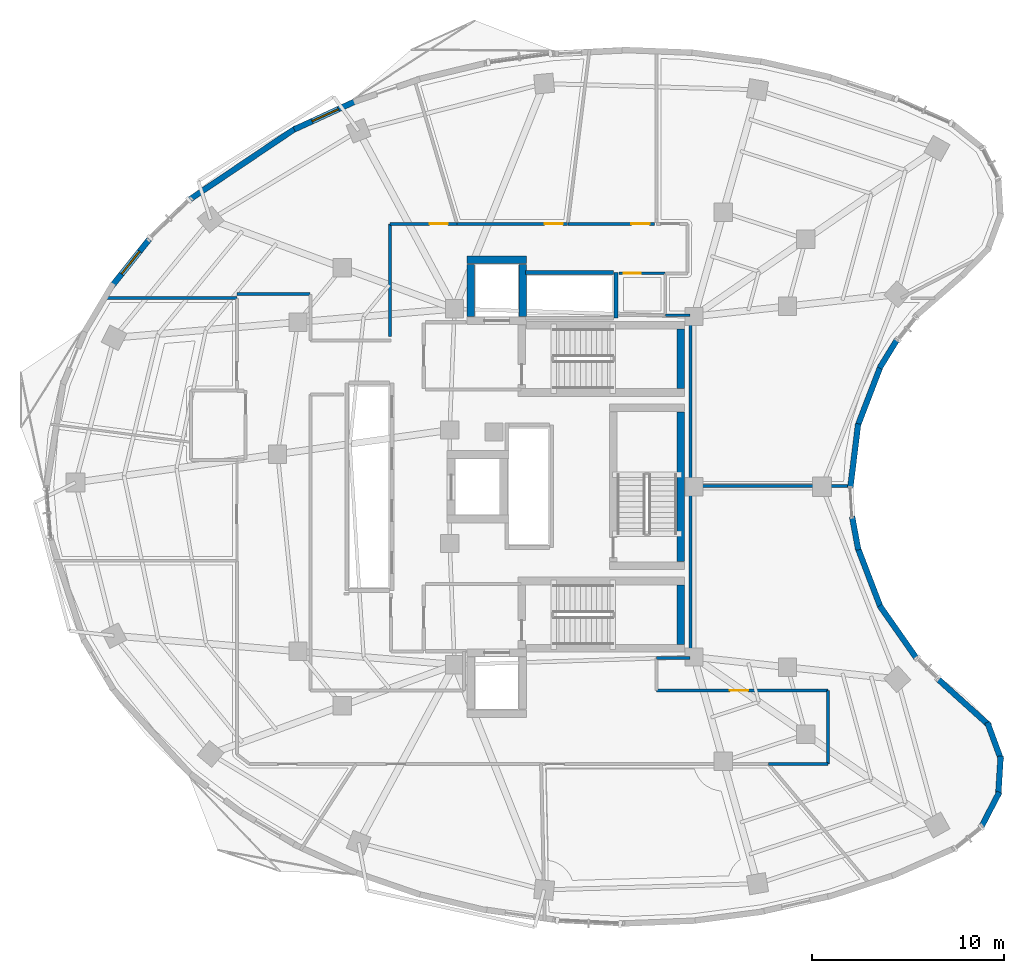
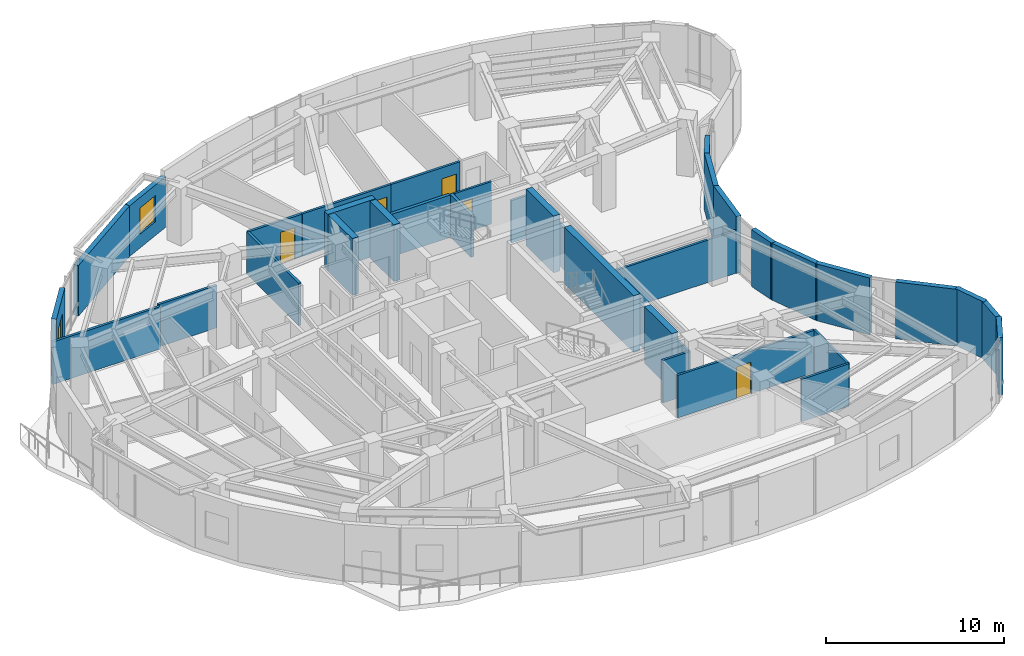
# One storey, part 10 of 15: 36 walls, 5 doors, 2 windows, 7 openings.
"""IFC4 building model written with IfcOpenShell, lengths in metres."""

from ifc_helpers import new_model, si_unit, direction, frame, frame_2d, origin, place, context, subcontext, project, spatial, rectangle, extrude, material, layer, layer_set, type_object, element, fill, save


model = new_model("IFC4")

# Units and contexts
model_context = context("Model", 3, precision=1e-05, world=origin(), true_north=direction((0.0, 1.0)))
body_context = subcontext(model_context, "Body", "Model", "MODEL_VIEW")
ifc_project = project(units=[si_unit("LENGTHUNIT", "METRE"), si_unit("AREAUNIT", "SQUARE_METRE"), si_unit("VOLUMEUNIT", "CUBIC_METRE"), si_unit("PLANEANGLEUNIT", "RADIAN"), si_unit("MASSUNIT", "GRAM", prefix="KILO")], contexts=[model_context])

# Site, building, storey
site_placement = place(None, origin())
site = spatial("IfcSite", under=ifc_project, at=site_placement, CompositionType="ELEMENT")
building_placement = place(site_placement, origin())
building = spatial("IfcBuilding", under=site, at=building_placement, Name="Korentha Bioscience Tower", CompositionType="ELEMENT")
storey_placement = place(building_placement, frame((0.0, 0.0, 222.60009765625)))
storey = spatial("IfcBuildingStorey", under=building, at=storey_placement, Name="L51", CompositionType="ELEMENT", Elevation=222.60009765625)

# Wall, opening, door
ifc_material_1 = material(Name="Double-Stud Acoustic Gypsum", Category="gypsum")
ifc_layer_1 = layer(ifc_material_1, 0.14990234375, Name="Double-Stud Acoustic Gypsum")
ifc_layer_set_1 = layer_set([ifc_layer_1], Name="Double-Stud Acoustic Gypsum (IW-L150)")
wall_type_1 = type_object("IfcWallType", Name="Acoustic Laboratory Partition Wall 150", PredefinedType="PARTITIONING", material=ifc_layer_set_1)
wall_1_placement = place(storey_placement, frame((44.5, 16.409912109375, 0.0), z_axis=(0.0, 0.0, 1.0), x_axis=(-1.0, 0.0, 0.0)))
wall_1 = element("IfcWall", 1, at=wall_1_placement, inside=storey, type_object=wall_type_1, Name="L51 Clinical Trials Data Office 06 Entrance Wall", PredefinedType="PARTITIONING", context=body_context, shape_type="SweptSolid", body=[
    extrude(rectangle(XDim=8.89794921875, YDim=0.14990234375, at=frame_2d((4.448974609375, 0.0))), origin(), (0.0, 0.0, 1.0), 2.909912109375),
])
opening_1_placement = place(wall_1_placement, frame((4.13818359375, 0.0, 0.0)))
opening_1 = element("IfcOpeningElement", 2, at=opening_1_placement, cuts=wall_1, Name="Opening ID-10R", PredefinedType="OPENING", context=body_context, shape_type="SweptSolid", body=[
    extrude(rectangle(XDim=0.949951171875, YDim=2.14990234375, at=frame_2d((0.47509765625, 1.074951171875))), frame((0.0, 0.08984375, 0.0), z_axis=(0.0, -1.0, 0.0), x_axis=(1.0, 0.0, 0.0)), (0.0, 0.0, 1.0), 0.1796875),
])
ifc_material_2 = material(Name="Phenolic Laminate Timber Core", Category="wood")
door_type_1 = type_object("IfcDoorType", Name="Laboratory Single Leaf Door 950x2150 Right", OperationType="SINGLE_SWING_RIGHT", PredefinedType="DOOR", material=ifc_material_2)
door_1_placement = place(opening_1_placement, origin())
door_1 = element("IfcDoor", 3, at=door_1_placement, inside=storey, type_object=door_type_1, Name="L51 Clinical Trials Data Office 06 Door", OperationType="SINGLE_SWING_RIGHT", OverallHeight=2.14990234375, OverallWidth=0.949951171875, PredefinedType="DOOR", context=body_context, shape_type="SweptSolid", body=[
    extrude(rectangle(XDim=0.949951171875, YDim=2.14990234375, at=frame_2d((0.47509765625, 1.074951171875))), frame((0.0, 0.02490234375, 0.0), z_axis=(0.0, -1.0, 0.0), x_axis=(1.0, 0.0, 0.0)), (0.0, 0.0, 1.0), 0.050048828125),
])
fill(opening_1, door_1)

wall_2_placement = place(storey_placement, frame((35.482666015625, 40.659912109375, 0.0), z_axis=(0.0, 0.0, 1.0), x_axis=(-1.0, 0.0, 0.0)))
wall_2 = element("IfcWall", 4, at=wall_2_placement, inside=storey, type_object=wall_type_1, Name="L51 Bioinformatics Data Collaboration Hub 08 Entrance Wall", PredefinedType="PARTITIONING", context=body_context, shape_type="SweptSolid", body=[
    extrude(rectangle(XDim=4.49560546875, YDim=0.14990234375, at=frame_2d((2.247802734375, 0.0))), origin(), (0.0, 0.0, 1.0), 2.909912109375),
])
opening_2_placement = place(wall_2_placement, frame((0.239990234375, 0.0, 0.0)))
opening_2 = element("IfcOpeningElement", 5, at=opening_2_placement, cuts=wall_2, Name="Opening ID-10R", PredefinedType="OPENING", context=body_context, shape_type="SweptSolid", body=[
    extrude(rectangle(XDim=0.949951171875, YDim=2.14990234375, at=frame_2d((0.47509765625, 1.074951171875))), frame((0.0, 0.08984375, 0.0), z_axis=(0.0, -1.0, 0.0), x_axis=(1.0, 0.0, 0.0)), (0.0, 0.0, 1.0), 0.1796875),
])
door_2_placement = place(opening_2_placement, origin())
door_2 = element("IfcDoor", 6, at=door_2_placement, inside=storey, type_object=door_type_1, Name="L51 Bioinformatics Data Collaboration Hub 08 Door", OperationType="SINGLE_SWING_RIGHT", OverallHeight=2.14990234375, OverallWidth=0.949951171875, PredefinedType="DOOR", context=body_context, shape_type="SweptSolid", body=[
    extrude(rectangle(XDim=0.949951171875, YDim=2.14990234375, at=frame_2d((0.47509765625, 1.074951171875))), frame((0.0, 0.02490234375, 0.0), z_axis=(0.0, -1.0, 0.0), x_axis=(1.0, 0.0, 0.0)), (0.0, 0.0, 1.0), 0.050048828125),
])
fill(opening_2, door_2)

wall_3_placement = place(storey_placement, frame((30.97705078125, 40.659912109375, 0.0), z_axis=(0.0, 0.0, 1.0), x_axis=(-1.0, 0.0, 0.0)))
wall_3 = element("IfcWall", 7, at=wall_3_placement, inside=storey, type_object=wall_type_1, Name="L51 Researchers' Reading Lounge 09 Entrance Wall", PredefinedType="PARTITIONING", context=body_context, shape_type="SweptSolid", body=[
    extrude(rectangle(XDim=5.7412109375, YDim=0.14990234375, at=frame_2d((2.87060546875, 0.0))), origin(), (0.0, 0.0, 1.0), 2.909912109375),
])
opening_3_placement = place(wall_3_placement, frame((0.239990234375, 0.0, 0.0)))
opening_3 = element("IfcOpeningElement", 8, at=opening_3_placement, cuts=wall_3, Name="Opening ID-10L", PredefinedType="OPENING", context=body_context, shape_type="SweptSolid", body=[
    extrude(rectangle(XDim=0.949951171875, YDim=2.14990234375, at=frame_2d((0.47509765625, 1.074951171875))), frame((0.0, 0.08984375, 0.0), z_axis=(0.0, -1.0, 0.0), x_axis=(1.0, 0.0, 0.0)), (0.0, 0.0, 1.0), 0.1796875),
])
door_type_2 = type_object("IfcDoorType", Name="Laboratory Single Leaf Door 950x2150 Left", OperationType="SINGLE_SWING_LEFT", PredefinedType="DOOR", material=ifc_material_2)
door_3_placement = place(opening_3_placement, origin())
door_3 = element("IfcDoor", 9, at=door_3_placement, inside=storey, type_object=door_type_2, Name="L51 Researchers' Reading Lounge 09 Door", OperationType="SINGLE_SWING_LEFT", OverallHeight=2.14990234375, OverallWidth=0.949951171875, PredefinedType="DOOR", context=body_context, shape_type="SweptSolid", body=[
    extrude(rectangle(XDim=0.949951171875, YDim=2.14990234375, at=frame_2d((0.47509765625, 1.074951171875))), frame((0.0, 0.02490234375, 0.0), z_axis=(0.0, -1.0, 0.0), x_axis=(1.0, 0.0, 0.0)), (0.0, 0.0, 1.0), 0.050048828125),
])
fill(opening_3, door_3)

# Walls
wall_4_placement = place(storey_placement, frame((35.60205078125, 18.090087890625, 0.0), z_axis=(0.0, 0.0, 1.0), x_axis=(1.0, 0.0, 0.0)))
element("IfcWall", 10, at=wall_4_placement, inside=storey, type_object=wall_type_1, Name="L51 Interior Partition 034", PredefinedType="PARTITIONING", context=body_context, shape_type="SweptSolid", body=[
    extrude(rectangle(XDim=1.748046875, YDim=0.14990234375, at=frame_2d((0.8740234375, 0.0))), origin(), (0.0, 0.0, 1.0), 2.909912109375),
])
wall_5_placement = place(storey_placement, frame((37.360107421875, 18.10009765625, 0.0), z_axis=(0.0, 0.0, 1.0), x_axis=(0.0, 1.0, 0.0)))
element("IfcWall", 11, at=wall_5_placement, inside=storey, type_object=wall_type_1, Name="L51 Interior Partition 035", PredefinedType="PARTITIONING", context=body_context, shape_type="SweptSolid", body=[
    extrude(rectangle(XDim=8.947998046875, YDim=0.14990234375, at=frame_2d((4.47412109375, 0.0))), origin(), (0.0, 0.0, 1.0), 2.909912109375),
])
wall_6_placement = place(storey_placement, frame((37.360107421875, 27.048095703125, 0.0), z_axis=(0.0, 0.0, 1.0), x_axis=(1.0, 0.0, 0.0)))
element("IfcWall", 12, at=wall_6_placement, inside=storey, type_object=wall_type_1, Name="L51 Interior Partition 036", PredefinedType="PARTITIONING", context=body_context, shape_type="SweptSolid", body=[
    extrude(rectangle(XDim=8.44140625, YDim=0.14990234375, at=frame_2d((4.220703125, 0.0))), origin(), (0.0, 0.0, 1.0), 2.909912109375),
])
wall_7_placement = place(storey_placement, frame((41.430908203125, 12.590087890625, 0.0), z_axis=(0.0, 0.0, 1.0), x_axis=(1.0, 0.0, 0.0)))
element("IfcWall", 13, at=wall_7_placement, inside=storey, type_object=wall_type_1, Name="L51 Interior Partition 037", PredefinedType="PARTITIONING", context=body_context, shape_type="SweptSolid", body=[
    extrude(rectangle(XDim=3.069091796875, YDim=0.14990234375, at=frame_2d((1.53466796875, 0.0))), origin(), (0.0, 0.0, 1.0), 2.909912109375),
])
wall_8_placement = place(storey_placement, frame((44.510009765625, 12.60009765625, 0.0), z_axis=(0.0, 0.0, 1.0), x_axis=(0.0, 1.0, 0.0)))
element("IfcWall", 14, at=wall_8_placement, inside=storey, type_object=wall_type_1, Name="L51 Interior Partition 038", PredefinedType="PARTITIONING", context=body_context, shape_type="SweptSolid", body=[
    extrude(rectangle(XDim=3.7998046875, YDim=0.14990234375, at=frame_2d((1.89990234375, 0.0))), origin(), (0.0, 0.0, 1.0), 2.909912109375),
])
wall_9_placement = place(storey_placement, frame((37.360107421875, 27.05810546875, 0.0), z_axis=(0.0, 0.0, 1.0), x_axis=(0.0, 1.0, 0.0)))
element("IfcWall", 15, at=wall_9_placement, inside=storey, type_object=wall_type_1, Name="L51 Interior Partition 043", PredefinedType="PARTITIONING", context=body_context, shape_type="SweptSolid", body=[
    extrude(rectangle(XDim=8.841796875, YDim=0.14990234375, at=frame_2d((4.4208984375, 0.0))), origin(), (0.0, 0.0, 1.0), 2.909912109375),
])
wall_10_placement = place(storey_placement, frame((37.35009765625, 35.909912109375, 0.0), z_axis=(0.0, 0.0, 1.0), x_axis=(-1.0, 0.0, 0.0)))
element("IfcWall", 16, at=wall_10_placement, inside=storey, type_object=wall_type_1, Name="L51 Interior Partition 044", PredefinedType="PARTITIONING", context=body_context, shape_type="SweptSolid", body=[
    extrude(rectangle(XDim=1.2900390625, YDim=0.14990234375, at=frame_2d((0.64501953125, 0.0))), origin(), (0.0, 0.0, 1.0), 2.909912109375),
])

# Wall, opening, door
ifc_material_3 = material(Name="Gypsum-Clad Steel Stud", Category="steel")
ifc_layer_2 = layer(ifc_material_3, 0.159912109375, Name="Gypsum-Clad Steel Stud")
ifc_layer_set_2 = layer_set([ifc_layer_2], Name="Gypsum-Clad Steel Stud (IW-C160)")
wall_type_2 = type_object("IfcWallType", Name="Fire-Rated Corridor Partition Wall 160", PredefinedType="PARTITIONING", material=ifc_layer_set_2)
wall_11_placement = place(storey_placement, frame((25.2255859375, 40.659912109375, 0.0), z_axis=(0.0, 0.0, 1.0), x_axis=(-1.0, 0.0, 0.0)))
wall_11 = element("IfcWall", 17, at=wall_11_placement, inside=storey, type_object=wall_type_2, Name="L51 Clean Linen and Labcoat Store 10 Entrance Wall", PredefinedType="PARTITIONING", context=body_context, shape_type="SweptSolid", body=[
    extrude(rectangle(XDim=3.4755859375, YDim=0.159912109375, at=frame_2d((1.73779296875, 0.0))), origin(), (0.0, 0.0, 1.0), 2.909912109375),
])
opening_4_placement = place(wall_11_placement, frame((0.47216796875, 0.0, 0.0)))
opening_4 = element("IfcOpeningElement", 18, at=opening_4_placement, cuts=wall_11, Name="Opening ID-10R", PredefinedType="OPENING", context=body_context, shape_type="SweptSolid", body=[
    extrude(rectangle(XDim=0.949951171875, YDim=2.14990234375, at=frame_2d((0.47509765625, 1.074951171875))), frame((0.0, 0.0947265625, 0.0), z_axis=(0.0, -1.0, 0.0), x_axis=(1.0, 0.0, 0.0)), (0.0, 0.0, 1.0), 0.189697265625),
])
door_4_placement = place(opening_4_placement, origin())
door_4 = element("IfcDoor", 19, at=door_4_placement, inside=storey, type_object=door_type_1, Name="L51 Clean Linen and Labcoat Store 10 Door", OperationType="SINGLE_SWING_RIGHT", OverallHeight=2.14990234375, OverallWidth=0.949951171875, PredefinedType="DOOR", context=body_context, shape_type="SweptSolid", body=[
    extrude(rectangle(XDim=0.949951171875, YDim=2.14990234375, at=frame_2d((0.47509765625, 1.074951171875))), frame((0.0, 0.02490234375, 0.0), z_axis=(0.0, -1.0, 0.0), x_axis=(1.0, 0.0, 0.0)), (0.0, 0.0, 1.0), 0.050048828125),
])
fill(opening_4, door_4)

# Walls
wall_12_placement = place(storey_placement, frame((21.739990234375, 40.64990234375, 0.0), z_axis=(0.0, 0.0, 1.0), x_axis=(0.0, -1.0, 0.0)))
element("IfcWall", 20, at=wall_12_placement, inside=storey, type_object=wall_type_2, Name="L51 Interior Partition 050", PredefinedType="PARTITIONING", context=body_context, shape_type="SweptSolid", body=[
    extrude(rectangle(XDim=5.849853515625, YDim=0.159912109375, at=frame_2d((2.9248046875, 0.0))), origin(), (0.0, 0.0, 1.0), 2.909912109375),
])
wall_13_placement = place(storey_placement, frame((17.60009765625, 37.010009765625, 0.0), z_axis=(0.0, 0.0, 1.0), x_axis=(-1.0, 0.0, 0.0)))
element("IfcWall", 21, at=wall_13_placement, inside=storey, type_object=wall_type_2, Name="L51 Interior Partition 053", PredefinedType="PARTITIONING", context=body_context, shape_type="SweptSolid", body=[
    extrude(rectangle(XDim=3.800048828125, YDim=0.159912109375, at=frame_2d((1.89990234375, 0.0))), origin(), (0.0, 0.0, 1.0), 2.909912109375),
])
wall_14_placement = place(storey_placement, frame((13.7900390625, 36.802001953125, 0.0), z_axis=(0.0, 0.0, 1.0), x_axis=(-1.0, 0.0, 0.0)))
element("IfcWall", 22, at=wall_14_placement, inside=storey, type_object=wall_type_2, Name="L51 Interior Partition 054", PredefinedType="PARTITIONING", context=body_context, shape_type="SweptSolid", body=[
    extrude(rectangle(XDim=6.976318359375, YDim=0.159912109375, at=frame_2d((3.48828125, 0.0))), origin(), (0.0, 0.0, 1.0), 2.909912109375),
])

# Wall, opening, window
ifc_material_4 = material(Name="Honed Limestone Precast Concrete C40", Category="masonry")
ifc_layer_3 = layer(ifc_material_4, 0.300048828125, Name="Honed Limestone Precast Concrete C40")
ifc_layer_set_3 = layer_set([ifc_layer_3], Name="Honed Limestone Precast Concrete C40 (EW-ST300)")
wall_type_3 = type_object("IfcWallType", Name="Honed Limestone Cavity Spandrel Wall 300", PredefinedType="STANDARD", material=ifc_layer_set_3)
wall_15_placement = place(storey_placement, frame((19.989990234375, 47.050537109375, 0.0), z_axis=(0.0, 0.0, 1.0), x_axis=(-0.908478431596, -0.41793174003, 0.0)))
wall_15 = element("IfcWall", 23, at=wall_15_placement, inside=storey, type_object=wall_type_3, Name="L51 Honed Limestone Spandrel Wall 10", PredefinedType="STANDARD", context=body_context, shape_type="SweptSolid", body=[
    extrude(rectangle(XDim=3.547119140625, YDim=0.300048828125, at=frame_2d((1.7734375, 0.0))), origin(), (0.0, 0.0, 1.0), 3.469970703125),
])
opening_5_placement = place(wall_15_placement, frame((1.0234375, 0.0, 0.949951171875)))
opening_5 = element("IfcOpeningElement", 24, at=opening_5_placement, cuts=wall_15, Name="Opening WN-02", PredefinedType="OPENING", context=body_context, shape_type="SweptSolid", body=[
    extrude(rectangle(XDim=1.5, YDim=1.800048828125, at=frame_2d((0.75, 0.89990234375))), frame((0.0, 0.1650390625, 0.0), z_axis=(0.0, -1.0, 0.0), x_axis=(1.0, 0.0, 0.0)), (0.0, 0.0, 1.0), 0.329833984375),
])
ifc_material_5 = material(Name="Thermally Broken Aluminium Triple Glazing", Category="aluminium")
window_type = type_object("IfcWindowType", Name="Acoustic Operable Office Window 1500x1800", PartitioningType="DOUBLE_PANEL_VERTICAL", PredefinedType="WINDOW", material=ifc_material_5)
window_1_placement = place(opening_5_placement, origin())
window_1 = element("IfcWindow", 25, at=window_1_placement, inside=storey, type_object=window_type, Name="L51 Facade Window 10", OverallHeight=1.800048828125, OverallWidth=1.5, PartitioningType="DOUBLE_PANEL_VERTICAL", PredefinedType="WINDOW", context=body_context, shape_type="SweptSolid", body=[
    extrude(rectangle(XDim=1.5, YDim=1.800048828125, at=frame_2d((0.75, 0.89990234375))), frame((0.0, 0.030029296875, 0.0), z_axis=(0.0, -1.0, 0.0), x_axis=(1.0, 0.0, 0.0)), (0.0, 0.0, 1.0), 0.06005859375),
])
fill(opening_5, window_1)

wall_16_placement = place(storey_placement, frame((9.243896484375, 39.8681640625, 0.0), z_axis=(0.0, 0.0, 1.0), x_axis=(-0.624095877763, -0.781347768512, 0.0)))
wall_16 = element("IfcWall", 26, at=wall_16_placement, inside=storey, type_object=wall_type_3, Name="L51 Honed Limestone Spandrel Wall 14", PredefinedType="STANDARD", context=body_context, shape_type="SweptSolid", body=[
    extrude(rectangle(XDim=3.131591796875, YDim=0.300048828125, at=frame_2d((1.56591796875, 0.0))), origin(), (0.0, 0.0, 1.0), 3.89990234375),
])
opening_6_placement = place(wall_16_placement, frame((0.815673828125, 0.0, 0.949951171875)))
opening_6 = element("IfcOpeningElement", 27, at=opening_6_placement, cuts=wall_16, Name="Opening WN-02", PredefinedType="OPENING", context=body_context, shape_type="SweptSolid", body=[
    extrude(rectangle(XDim=1.5, YDim=1.800048828125, at=frame_2d((0.75, 0.89990234375))), frame((0.0, 0.1650390625, 0.0), z_axis=(0.0, -1.0, 0.0), x_axis=(1.0, 0.0, 0.0)), (0.0, 0.0, 1.0), 0.329833984375),
])
window_2_placement = place(opening_6_placement, origin())
window_2 = element("IfcWindow", 28, at=window_2_placement, inside=storey, type_object=window_type, Name="L51 Facade Window 14", OverallHeight=1.800048828125, OverallWidth=1.5, PartitioningType="DOUBLE_PANEL_VERTICAL", PredefinedType="WINDOW", context=body_context, shape_type="SweptSolid", body=[
    extrude(rectangle(XDim=1.5, YDim=1.800048828125, at=frame_2d((0.75, 0.89990234375))), frame((0.0, 0.030029296875, 0.0), z_axis=(0.0, -1.0, 0.0), x_axis=(1.0, 0.0, 0.0)), (0.0, 0.0, 1.0), 0.06005859375),
])
fill(opening_6, window_2)

# Walls
wall_17_placement = place(storey_placement, frame((16.89990234375, 45.6669921875, 0.0), z_axis=(0.0, 0.0, 1.0), x_axis=(-0.829994558021, -0.557771488743, 0.0)))
element("IfcWall", 29, at=wall_17_placement, inside=storey, type_object=wall_type_3, Name="L51 Limestone Perimeter Closure Wall 11", PredefinedType="STANDARD", context=body_context, shape_type="SweptSolid", body=[
    extrude(rectangle(XDim=6.70556640625, YDim=0.300048828125, at=frame_2d((3.352783203125, 0.0))), origin(), (0.0, 0.0, 1.0), 3.469970703125),
])
wall_18_placement = place(storey_placement, frame((52.451904296875, 9.2646484375, 0.0), z_axis=(0.0, 0.0, 1.0), x_axis=(0.459683297138, 0.888082916361, 0.0)))
element("IfcWall", 30, at=wall_18_placement, inside=storey, type_object=wall_type_3, Name="L51 Limestone Perimeter Closure Wall 38", PredefinedType="STANDARD", context=body_context, shape_type="SweptSolid", body=[
    extrude(rectangle(XDim=2.091552734375, YDim=0.300048828125, at=frame_2d((1.0458984375, 0.0))), origin(), (0.0, 0.0, 1.0), 3.89990234375),
])
for number, where, z_axis, x_axis, name in (
    (31, (53.356201171875, 10.915283203125, 0.0), (0.0, 0.0, 1.0), (0.06186954965, 0.998084244353, 0.0), "L51 Limestone Perimeter Closure Wall 39"),
    (32, (53.516845703125, 12.790771484375, 0.0), (0.0, 0.0, 1.0), (-0.346359858312, 0.93810172612, 0.0), "L51 Limestone Perimeter Closure Wall 40"),
):
    element("IfcWall", number, at=place(storey_placement, frame(where, z_axis=z_axis, x_axis=x_axis)), inside=storey, type_object=wall_type_3, Name=name, PredefinedType="STANDARD", context=body_context, shape_type="SweptSolid", body=[
        extrude(rectangle(XDim=2.09130859375, YDim=0.300048828125, at=frame_2d((1.045654296875, 0.0))), origin(), (0.0, 0.0, 1.0), 3.89990234375),
    ])
wall_19_placement = place(storey_placement, frame((52.9169921875, 14.568603515625, 0.0), z_axis=(0.0, 0.0, 1.0), x_axis=(-0.742037796493, 0.670358045059, 0.0)))
element("IfcWall", 33, at=wall_19_placement, inside=storey, type_object=wall_type_3, Name="L51 Limestone Perimeter Closure Wall 41", PredefinedType="STANDARD", context=body_context, shape_type="SweptSolid", body=[
    extrude(rectangle(XDim=3.685302734375, YDim=0.300048828125, at=frame_2d((1.8427734375, 0.0))), origin(), (0.0, 0.0, 1.0), 3.89990234375),
])
wall_20_placement = place(storey_placement, frame((49.123046875, 18.0673828125, 0.0), z_axis=(0.0, 0.0, 1.0), x_axis=(-0.573598849051, 0.819136350291, 0.0)))
element("IfcWall", 34, at=wall_20_placement, inside=storey, type_object=wall_type_3, Name="L51 Limestone Perimeter Closure Wall 44", PredefinedType="STANDARD", context=body_context, shape_type="SweptSolid", body=[
    extrude(rectangle(XDim=3.36083984375, YDim=0.300048828125, at=frame_2d((1.680419921875, 0.0))), origin(), (0.0, 0.0, 1.0), 3.89990234375),
])
wall_21_placement = place(storey_placement, frame((47.25390625, 20.710205078125, 0.0), z_axis=(0.0, 0.0, 1.0), x_axis=(-0.358365624917, 0.933581318835, 0.0)))
element("IfcWall", 35, at=wall_21_placement, inside=storey, type_object=wall_type_3, Name="L51 Limestone Perimeter Closure Wall 46", PredefinedType="STANDARD", context=body_context, shape_type="SweptSolid", body=[
    extrude(rectangle(XDim=3.360595703125, YDim=0.300048828125, at=frame_2d((1.68017578125, 0.0))), origin(), (0.0, 0.0, 1.0), 3.89990234375),
])
wall_22_placement = place(storey_placement, frame((46.0859375, 23.718994140625, 0.0), z_axis=(0.0, 0.0, 1.0), x_axis=(-0.182198328631, 0.983261800867, 0.0)))
element("IfcWall", 36, at=wall_22_placement, inside=storey, type_object=wall_type_3, Name="L51 Limestone Perimeter Closure Wall 48", PredefinedType="STANDARD", context=body_context, shape_type="SweptSolid", body=[
    extrude(rectangle(XDim=1.763427734375, YDim=0.300048828125, at=frame_2d((0.8818359375, 0.0))), origin(), (0.0, 0.0, 1.0), 3.89990234375),
])
for number, where, z_axis, x_axis, name in (
    (37, (45.67041015625, 26.937744140625, 0.0), (0.0, 0.0, 1.0), (0.121834797873, 0.992550392689, 0.0), "L51 Limestone Perimeter Closure Wall 50"),
    (38, (46.049560546875, 30.15234375, 0.0), (0.0, 0.0, 1.0), (0.358365624917, 0.933581318835, 0.0), "L51 Limestone Perimeter Closure Wall 52"),
):
    element("IfcWall", number, at=place(storey_placement, frame(where, z_axis=z_axis, x_axis=x_axis)), inside=storey, type_object=wall_type_3, Name=name, PredefinedType="STANDARD", context=body_context, shape_type="SweptSolid", body=[
        extrude(rectangle(XDim=3.360595703125, YDim=0.300048828125, at=frame_2d((1.68017578125, 0.0))), origin(), (0.0, 0.0, 1.0), 3.89990234375),
    ])
wall_23_placement = place(storey_placement, frame((47.19482421875, 33.169921875, 0.0), z_axis=(0.0, 0.0, 1.0), x_axis=(0.522536083939, 0.852617171409, 0.0)))
element("IfcWall", 39, at=wall_23_placement, inside=storey, type_object=wall_type_3, Name="L51 Limestone Perimeter Closure Wall 54", PredefinedType="STANDARD", context=body_context, shape_type="SweptSolid", body=[
    extrude(rectangle(XDim=1.76318359375, YDim=0.300048828125, at=frame_2d((0.881591796875, 0.0))), origin(), (0.0, 0.0, 1.0), 3.89990234375),
])
ifc_material_6 = material(Name="Autoclaved Aerated Concrete Block C25", Category="concrete")
ifc_layer_4 = layer(ifc_material_6, 0.199951171875, Name="Autoclaved Aerated Concrete Block C25")
ifc_layer_set_4 = layer_set([ifc_layer_4], Name="Autoclaved Aerated Concrete Block C25 (IW-S200)")
wall_type_4 = type_object("IfcWallType", Name="Lift and Riser Shaft Enclosure Wall 200", PredefinedType="PARTITIONING", material=ifc_layer_set_4)
wall_24_placement = place(storey_placement, frame((33.489990234375, 35.760009765625, 0.0), z_axis=(0.0, 0.0, 1.0), x_axis=(0.0, 1.0, 0.0)))
element("IfcWall", 40, at=wall_24_placement, inside=storey, type_object=wall_type_4, Name="L51 Lift Bank OBS Shaft Wall +X", PredefinedType="PARTITIONING", context=body_context, shape_type="SweptSolid", body=[
    extrude(rectangle(XDim=2.3798828125, YDim=0.199951171875, at=frame_2d((1.18994140625, 0.0))), origin(), (0.0, 0.0, 1.0), 2.909912109375),
])
wall_25_placement = place(storey_placement, frame((28.800048828125, 38.139892578125, 0.0), z_axis=(0.0, 0.0, 1.0), x_axis=(1.0, 0.0, 0.0)))
element("IfcWall", 41, at=wall_25_placement, inside=storey, type_object=wall_type_4, Name="L51 Lift Bank OBS Shaft Wall +Y", PredefinedType="PARTITIONING", context=body_context, shape_type="SweptSolid", body=[
    extrude(rectangle(XDim=4.570068359375, YDim=0.199951171875, at=frame_2d((2.28515625, 0.0))), origin(), (0.0, 0.0, 1.0), 2.909912109375),
])
ifc_material_7 = material(Name="Concrete C65", Category="concrete")
ifc_layer_5 = layer(ifc_material_7, 0.39990234375, Name="Concrete C65")
ifc_layer_set_5 = layer_set([ifc_layer_5], Name="Concrete C65 (CW-C65)")
wall_type_5 = type_object("IfcWallType", Name="Mid-Rise Core Shear Wall 400", PredefinedType="SHEAR", material=ifc_layer_set_5)
for number, where, z_axis, x_axis, name in (
    (42, (36.85009765625, 32.110107421875, 0.0), (0.0, 0.0, 1.0), (0.0, 1.0, 0.0), "L51 Core Shear Wall ST1-E"),
    (43, (36.85009765625, 18.81005859375, 0.0), (0.0, 0.0, 1.0), (0.0, 1.0, 0.0), "L51 Core Shear Wall ST2-E"),
):
    element("IfcWall", number, at=place(storey_placement, frame(where, z_axis=z_axis, x_axis=x_axis)), inside=storey, type_object=wall_type_5, Name=name, PredefinedType="SHEAR", context=body_context, shape_type="SweptSolid", body=[
        extrude(rectangle(XDim=3.079833984375, YDim=0.39990234375, at=frame_2d((1.5400390625, 0.0))), origin(), (0.0, 0.0, 1.0), 3.89990234375),
    ])
wall_26_placement = place(storey_placement, frame((36.85009765625, 23.110107421875, 0.0), z_axis=(0.0, 0.0, 1.0), x_axis=(0.0, 1.0, 0.0)))
element("IfcWall", 44, at=wall_26_placement, inside=storey, type_object=wall_type_5, Name="L51 Core Shear Wall ST3-E", PredefinedType="SHEAR", context=body_context, shape_type="SweptSolid", body=[
    extrude(rectangle(XDim=7.77978515625, YDim=0.39990234375, at=frame_2d((3.889892578125, 0.0))), origin(), (0.0, 0.0, 1.0), 3.89990234375),
])
wall_27_placement = place(storey_placement, frame((25.75, 38.800048828125, 0.0), z_axis=(0.0, 0.0, 1.0), x_axis=(1.0, 0.0, 0.0)))
element("IfcWall", 45, at=wall_27_placement, inside=storey, type_object=wall_type_5, Name="L51 Core Shear Wall FFL2-N", PredefinedType="SHEAR", context=body_context, shape_type="SweptSolid", body=[
    extrude(rectangle(XDim=3.10009765625, YDim=0.39990234375, at=frame_2d((1.550048828125, 0.0))), origin(), (0.0, 0.0, 1.0), 3.89990234375),
])
for number, where, z_axis, x_axis, name in (
    (46, (25.949951171875, 35.860107421875, 0.0), (0.0, 0.0, 1.0), (0.0, 1.0, 0.0), "L51 Core Shear Wall FFL2-W"),
    (47, (28.64990234375, 35.860107421875, 0.0), (0.0, 0.0, 1.0), (0.0, 1.0, 0.0), "L51 Core Shear Wall FFL2-E"),
):
    element("IfcWall", number, at=place(storey_placement, frame(where, z_axis=z_axis, x_axis=x_axis)), inside=storey, type_object=wall_type_5, Name=name, PredefinedType="SHEAR", context=body_context, shape_type="SweptSolid", body=[
        extrude(rectangle(XDim=2.699951171875, YDim=0.39990234375, at=frame_2d((1.35009765625, 0.0))), origin(), (0.0, 0.0, 1.0), 3.89990234375),
    ])

# Wall, opening, door
ifc_material_8 = material(Name="Cement-Board Steel Stud", Category="steel")
ifc_layer_6 = layer(ifc_material_8, 0.1298828125, Name="Cement-Board Steel Stud")
ifc_layer_set_6 = layer_set([ifc_layer_6], Name="Cement-Board Steel Stud (IW-W130)")
wall_type_6 = type_object("IfcWallType", Name="Wet-Area Moisture-Resistant Partition 130", PredefinedType="PARTITIONING", material=ifc_layer_set_6)
wall_28_placement = place(storey_placement, frame((33.64990234375, 38.090087890625, 0.0), z_axis=(0.0, 0.0, 1.0), x_axis=(1.0, 0.0, 0.0)))
wall_28 = element("IfcWall", 48, at=wall_28_placement, inside=storey, type_object=wall_type_6, Name="L51 Accessible Staff WC Entrance Wall", PredefinedType="PARTITIONING", context=body_context, shape_type="SweptSolid", body=[
    extrude(rectangle(XDim=2.400146484375, YDim=0.1298828125, at=frame_2d((1.2001953125, 0.0))), origin(), (0.0, 0.0, 1.0), 2.909912109375),
])
opening_7_placement = place(wall_28_placement, frame((0.239990234375, 0.0, 0.0)))
opening_7 = element("IfcOpeningElement", 49, at=opening_7_placement, cuts=wall_28, Name="Opening ID-09L", PredefinedType="OPENING", context=body_context, shape_type="SweptSolid", body=[
    extrude(rectangle(XDim=0.89990234375, YDim=2.14990234375, at=frame_2d((0.449951171875, 1.074951171875))), frame((0.0, 0.079833984375, 0.0), z_axis=(0.0, -1.0, 0.0), x_axis=(1.0, 0.0, 0.0)), (0.0, 0.0, 1.0), 0.15966796875),
])
ifc_material_9 = material(Name="Moisture-Resistant HPL Leaf", Category="wood")
door_type_3 = type_object("IfcDoorType", Name="Restroom & Accessible WC Door 900x2150 Left", OperationType="SINGLE_SWING_LEFT", PredefinedType="DOOR", material=ifc_material_9)
door_5_placement = place(opening_7_placement, origin())
door_5 = element("IfcDoor", 50, at=door_5_placement, inside=storey, type_object=door_type_3, Name="L51 Accessible Staff WC Door", OperationType="SINGLE_SWING_LEFT", OverallHeight=2.14990234375, OverallWidth=0.89990234375, PredefinedType="DOOR", context=body_context, shape_type="SweptSolid", body=[
    extrude(rectangle(XDim=0.89990234375, YDim=2.14990234375, at=frame_2d((0.449951171875, 1.074951171875))), frame((0.0, 0.02490234375, 0.0), z_axis=(0.0, -1.0, 0.0), x_axis=(1.0, 0.0, 0.0)), (0.0, 0.0, 1.0), 0.050048828125),
])
fill(opening_7, door_5)

save(model, "model.ifc")
